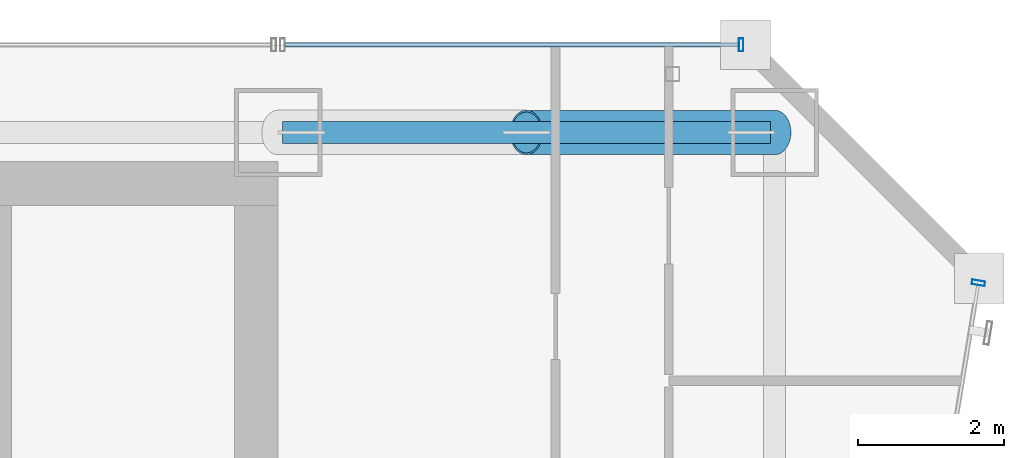
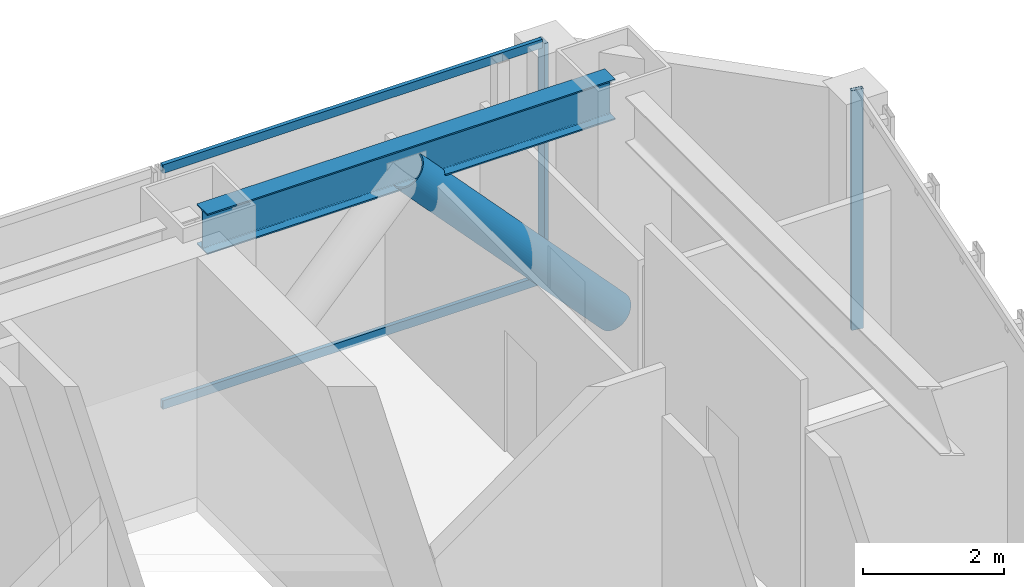
# One storey, part 33 of 47: 5 members, 1 beam, 2 elements without a shape of their own.
"""IFC4 building model written with IfcOpenShell, lengths in metres."""

from ifc_helpers import new_model, si_unit, direction, frame, origin, origin_2d, place, context, subcontext, project, spatial, hollow_rectangle, hollow_circle, i_section, extrude, material, material_profile, profile_set, type_object, element, aggregate, save


model = new_model("IFC4")

# Units and contexts
model_context = context("Model", 3, precision=1e-05, world=origin(), true_north=direction((0.0, 1.0)))
body_context = subcontext(model_context, "Body", "Model", "MODEL_VIEW")
ifc_project = project(units=[si_unit("LENGTHUNIT", "METRE"), si_unit("AREAUNIT", "SQUARE_METRE"), si_unit("VOLUMEUNIT", "CUBIC_METRE"), si_unit("PLANEANGLEUNIT", "RADIAN"), si_unit("MASSUNIT", "GRAM", prefix="KILO")], contexts=[model_context])

# Site, building, storey
site_placement = place(None, origin())
site = spatial("IfcSite", under=ifc_project, at=site_placement, CompositionType="ELEMENT")
building_placement = place(site_placement, origin())
building = spatial("IfcBuilding", under=site, at=building_placement, Name="Saevonmaru Cultural Tower", CompositionType="ELEMENT")
storey_placement = place(building_placement, frame((0.0, 0.0, 69.199951171875)))
storey = spatial("IfcBuildingStorey", under=building, at=storey_placement, Name="L14", CompositionType="ELEMENT", Elevation=69.199951171875)

# Beam
ifc_material_1 = material(Name="Steel SM355", Category="steel")
ifc_material_profile_1 = material_profile(ifc_material_1, i_section(OverallWidth=0.300048828125, OverallDepth=0.699951171875, WebThickness=0.012939453125, FlangeThickness=0.02392578125, FilletRadius=0.02587890625, at=origin_2d()), Name="H-700x300x13x24")
ifc_profile_set_1 = profile_set([ifc_material_profile_1], Name="Steel SM355")
beam_type = type_object("IfcBeamType", Name="BM-SP-H700", PredefinedType="SPANDREL", material=ifc_profile_set_1)
beam_placement = place(storey_placement, frame((46.4599609375, 54.800048828125, 3.800048828125), z_axis=(1.0, 0.0, 0.0), x_axis=(0.0, 1.0, 0.0)))
element("IfcBeam", 1, at=beam_placement, inside=storey, type_object=beam_type, Name="L14 North Spine Girder 5", PredefinedType="SPANDREL", context=body_context, shape_type="SweptSolid", body=[
    extrude(i_section(OverallWidth=0.300048828125, OverallDepth=0.699951171875, WebThickness=0.012939453125, FlangeThickness=0.02392578125, FilletRadius=0.02587890625, at=origin_2d()), origin(), (0.0, 0.0, 1.0), 6.679931640625),
])

# Member
ifc_material_2 = material(Name="Steel HSA600 (600 MPa)", Category="steel")
ifc_material_profile_2 = material_profile(ifc_material_2, hollow_circle(Radius=0.3046875, WallThickness=0.02490234375, at=origin_2d()), Name="CHS-609.6x25")
ifc_profile_set_2 = profile_set([ifc_material_profile_2], Name="Steel HSA600 (600 MPa)")
member_type_1 = type_object("IfcMemberType", Name="MB-PBR-CHS610", PredefinedType="BRACE", material=ifc_profile_set_2)
member_1_placement = place(storey_placement, frame((53.199951171875, 54.800048828125, 0.02001953125), z_axis=(-0.681578526789, 0.0, 0.731744977311), x_axis=(0.0, -1.0, 0.0)))
element("IfcMember", 2, at=member_1_placement, inside=storey, type_object=member_type_1, Name="L14 Perimeter Braced-Tube Diagonal EN2", PredefinedType="BRACE", context=body_context, shape_type="SweptSolid", body=[
    extrude(hollow_circle(Radius=0.3046875, WallThickness=0.02490234375, at=origin_2d()), origin(), (0.0, 0.0, 1.0), 4.98828125),
])

# Curtain wall, member
ifc_material_3 = material(Name="Satin Bronze Anodised Aluminium", Category="aluminium")
curtain_wall_type = type_object("IfcCurtainWallType", Name="CW-TYP-A", PredefinedType="NOTDEFINED", material=ifc_material_3)
curtain_wall_1_placement = place(storey_placement, origin())
curtain_wall_1 = element("IfcCurtainWall", 3, at=curtain_wall_1_placement, inside=storey, type_object=curtain_wall_type, Name="L14 Unitised Curtain Wall E8", PredefinedType="NOTDEFINED")
ifc_material_profile_3 = material_profile(ifc_material_3, hollow_rectangle(XDim=0.06494140625, YDim=0.179931640625, WallThickness=0.00390625, at=origin_2d()), Name="ALU-MULL-180x65x4")
ifc_profile_set_3 = profile_set([ifc_material_profile_3], Name="Satin Bronze Anodised Aluminium")
member_type_2 = type_object("IfcMemberType", Name="ML-CW-180x65", PredefinedType="MULLION", material=ifc_profile_set_3)
member_2_placement = place(storey_placement, frame((55.990234375, 52.74072265625, 0.0), z_axis=(0.0, 0.0, 1.0), x_axis=(0.161708868641, 0.986838508472, 0.0)))
member_2 = element("IfcMember", 4, at=member_2_placement, type_object=member_type_2, Name="CW-TW-L14-E8 mullion 5", PredefinedType="MULLION", context=body_context, shape_type="SweptSolid", body=[
    extrude(hollow_rectangle(XDim=0.06494140625, YDim=0.179931640625, WallThickness=0.00390625, at=origin_2d()), origin(), (0.0, 0.0, 1.0), 4.150146484375),
])
aggregate(curtain_wall_1, [member_2])

# Curtain wall, members
curtain_wall_2_placement = place(storey_placement, origin())
curtain_wall_2 = element("IfcCurtainWall", 5, at=curtain_wall_2_placement, inside=storey, type_object=curtain_wall_type, Name="L14 East Braced Bay Spandrel Curtain Wall E10A", PredefinedType="NOTDEFINED")
member_3_placement = place(storey_placement, frame((52.739990234375, 56.0, 0.0), z_axis=(0.0, 0.0, 1.0), x_axis=(-1.0, 0.0, 0.0)))
member_3 = element("IfcMember", 6, at=member_3_placement, type_object=member_type_2, Name="CW-TW-L14-E10A mullion 1", PredefinedType="MULLION", context=body_context, shape_type="SweptSolid", body=[
    extrude(hollow_rectangle(XDim=0.06494140625, YDim=0.179931640625, WallThickness=0.00390625, at=origin_2d()), origin(), (0.0, 0.0, 1.0), 4.150146484375),
])
ifc_material_profile_4 = material_profile(ifc_material_3, hollow_rectangle(XDim=0.06494140625, YDim=0.14990234375, WallThickness=0.00390625, at=origin_2d()), Name="ALU-TRAN-150x65x4")
ifc_profile_set_4 = profile_set([ifc_material_profile_4], Name="Satin Bronze Anodised Aluminium")
member_type_3 = type_object("IfcMemberType", Name="TR-CW-150x65", PredefinedType="USERDEFINED", material=ifc_profile_set_4)
member_4_placement = place(storey_placement, frame((52.70751953125, 56.0, 0.032470703125), z_axis=(-1.0, 0.0, 0.0), x_axis=(0.0, -1.0, 0.0)))
member_4 = element("IfcMember", 7, at=member_4_placement, type_object=member_type_3, Name="CW-TW-L14-E10A transom 1.1", ObjectType="TRANSOM", PredefinedType="USERDEFINED", context=body_context, shape_type="SweptSolid", body=[
    extrude(hollow_rectangle(XDim=0.06494140625, YDim=0.14990234375, WallThickness=0.00390625, at=origin_2d()), origin(), (0.0, 0.0, 1.0), 6.215087890625),
])
member_5_placement = place(storey_placement, frame((52.70751953125, 56.0, 4.117431640625), z_axis=(-1.0, 0.0, 0.0), x_axis=(0.0, -1.0, 0.0)))
member_5 = element("IfcMember", 8, at=member_5_placement, type_object=member_type_3, Name="CW-TW-L14-E10A transom 1.2", ObjectType="TRANSOM", PredefinedType="USERDEFINED", context=body_context, shape_type="SweptSolid", body=[
    extrude(hollow_rectangle(XDim=0.06494140625, YDim=0.14990234375, WallThickness=0.00390625, at=origin_2d()), origin(), (0.0, 0.0, 1.0), 6.215087890625),
])
aggregate(curtain_wall_2, [member_3, member_4, member_5])

save(model, "model.ifc")
